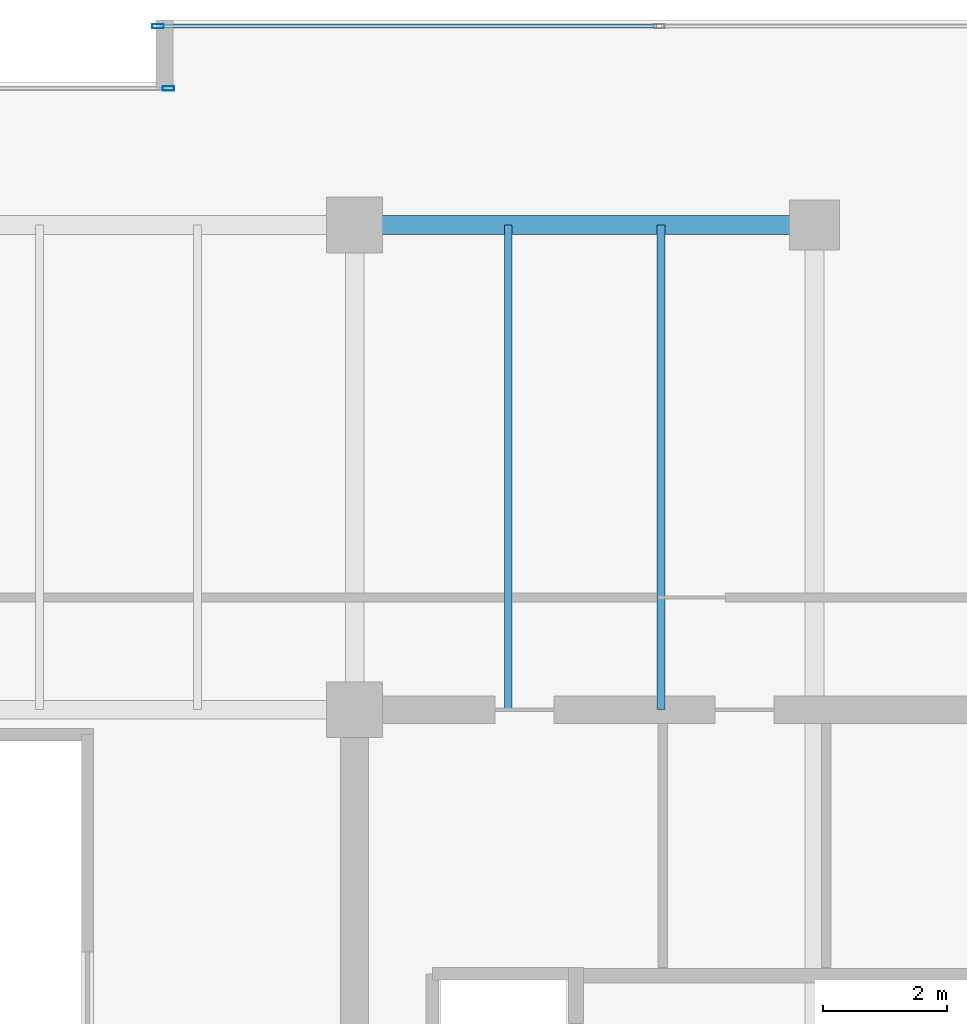
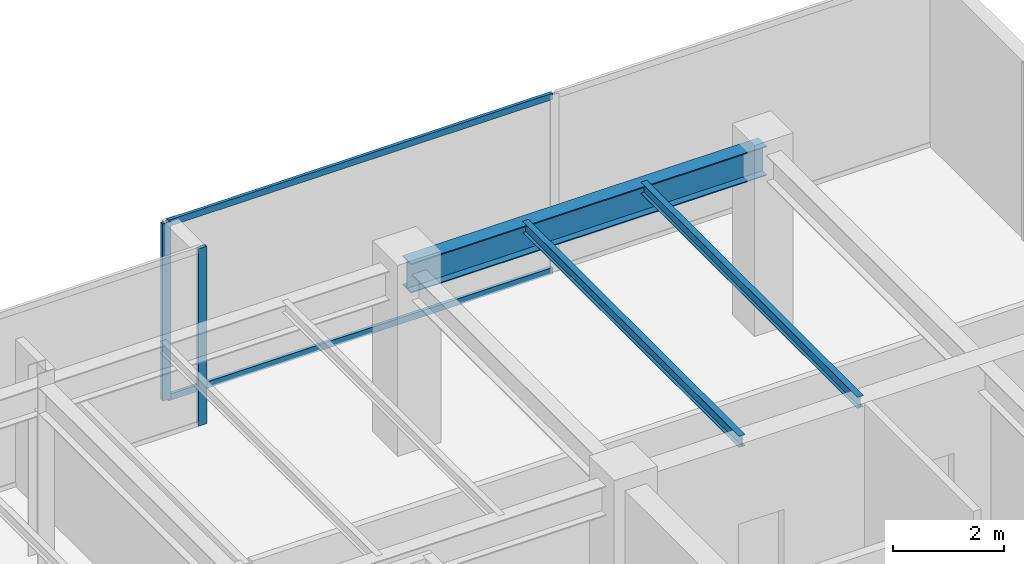
# One storey, part 24 of 31: 4 members, 3 beams, 2 elements without a shape of their own.
"""IFC4 building model written with IfcOpenShell, lengths in metres."""

from ifc_helpers import new_model, si_unit, direction, frame, origin, origin_2d, place, context, subcontext, project, spatial, hollow_rectangle, i_section, extrude, source, transform, mapped, material, layer, layer_set, material_profile, profile_set, type_object, type_shapes, element, aggregate, save


model = new_model("IFC4")

# Units and contexts
model_context = context("Model", 3, precision=1e-05, world=origin(), true_north=direction((0.0, 1.0)))
body_context = subcontext(model_context, "Body", "Model", "MODEL_VIEW")
ifc_project = project(units=[si_unit("LENGTHUNIT", "METRE"), si_unit("AREAUNIT", "SQUARE_METRE"), si_unit("VOLUMEUNIT", "CUBIC_METRE"), si_unit("PLANEANGLEUNIT", "RADIAN"), si_unit("MASSUNIT", "GRAM", prefix="KILO")], contexts=[model_context])

# Site, building, storey
site_placement = place(None, origin())
site = spatial("IfcSite", under=ifc_project, at=site_placement, CompositionType="ELEMENT")
building_placement = place(site_placement, origin())
building = spatial("IfcBuilding", under=site, at=building_placement, Name="Haelvirn Gate Laboratories", CompositionType="ELEMENT")
storey_placement = place(building_placement, frame((0.0, 0.0, 318.60009765625)))
storey = spatial("IfcBuildingStorey", under=building, at=storey_placement, Name="L76", CompositionType="ELEMENT", Elevation=318.60009765625)

# Beams
ifc_material_1 = material(Name="Steel SM355", Category="steel")
ifc_material_profile_1 = material_profile(ifc_material_1, i_section(OverallWidth=0.300048828125, OverallDepth=0.64990234375, WebThickness=0.012939453125, FlangeThickness=0.02197265625, at=origin_2d()), Name="H-650x300x13x22")
ifc_profile_set_1 = profile_set([ifc_material_profile_1], Name="Steel SM355")
beam_type_1 = type_object("IfcBeamType", Name="BM-G-650", PredefinedType="BEAM", material=ifc_profile_set_1)
shared_shape_1 = source(origin(), body_context, "Body", "SweptSolid", [
    extrude(i_section(OverallWidth=0.300048828125, OverallDepth=0.64990234375, WebThickness=0.012939453125, FlangeThickness=0.02197265625, at=origin_2d()), origin(), (0.0, 0.0, 1.0), 7.39990234375),
])
type_shapes(beam_type_1, [shared_shape_1])
beam_placement = place(storey_placement, frame((52.60009765625, 41.60009765625, 3.574951171875), z_axis=(1.0, 0.0, 0.0), x_axis=(0.0, 1.0, 0.0)))
element("IfcBeam", 1, at=beam_placement, inside=storey, type_object=beam_type_1, Name="L76 Primary Girder Y41.6 (52.6-60.0)", PredefinedType="BEAM", context=body_context, shape_type="MappedRepresentation", body=[
    mapped(shared_shape_1, transform((0.0, 0.0, 0.0), scale=1.0)),
])
ifc_material_profile_2 = material_profile(ifc_material_1, i_section(OverallWidth=0.125, OverallDepth=0.25, WebThickness=0.006103515625, FlangeThickness=0.009033203125, at=origin_2d()), Name="H-250x125x6x9")
ifc_profile_set_2 = profile_set([ifc_material_profile_2], Name="Steel SM355")
beam_type_2 = type_object("IfcBeamType", Name="BM-J-250", PredefinedType="JOIST", material=ifc_profile_set_2)
shared_shape_2 = source(origin(), body_context, "Body", "SweptSolid", [
    extrude(i_section(OverallWidth=0.125, OverallDepth=0.25, WebThickness=0.006103515625, FlangeThickness=0.009033203125, at=origin_2d()), origin(), (0.0, 0.0, 1.0), 7.800048828125),
])
type_shapes(beam_type_2, [shared_shape_2])
for number, where, z_axis, x_axis, name in (
    (2, (55.070068359375, 33.800048828125, 3.77490234375), (0.0, 1.0, 0.0), (-1.0, 0.0, 0.0), "L76 Composite Lab Joist North X55.07"),
    (3, (57.530029296875, 33.800048828125, 3.77490234375), (0.0, 1.0, 0.0), (-1.0, 0.0, 0.0), "L76 Composite Lab Joist North X57.53"),
):
    element("IfcBeam", number, at=place(storey_placement, frame(where, z_axis=z_axis, x_axis=x_axis)), inside=storey, type_object=beam_type_2, Name=name, PredefinedType="JOIST", context=body_context, shape_type="MappedRepresentation", body=[
        mapped(shared_shape_2, transform((0.0, 0.0, 0.0), scale=1.0)),
    ])

# Curtain wall, member
ifc_material_2 = material(Name="Anodised bronze unitised aluminium & triple low-E glass", Category="aluminium")
ifc_layer = layer(ifc_material_2, 0.176025390625, Name="CW-SYS-4")
ifc_layer_set = layer_set([ifc_layer], Name="Anodised bronze unitised aluminium & triple low-E glass")
curtain_wall_type = type_object("IfcCurtainWallType", Name="CW-SYS-4", PredefinedType="NOTDEFINED", material=ifc_layer_set)
curtain_wall_1_placement = place(storey_placement, origin())
curtain_wall_1 = element("IfcCurtainWall", 4, at=curtain_wall_1_placement, inside=storey, type_object=curtain_wall_type, Name="L76 Unitised Curtain Wall CW-L76-P0-E10-1", PredefinedType="NOTDEFINED")
ifc_material_3 = material(Name="Extruded aluminium 6063-T6 (anodised bronze)", Category="aluminium")
ifc_material_profile_3 = material_profile(ifc_material_3, hollow_rectangle(XDim=0.070068359375, YDim=0.179931640625, WallThickness=0.0048828125, at=origin_2d()), Name="CWM-180x70x5")
ifc_profile_set_3 = profile_set([ifc_material_profile_3], Name="Extruded aluminium 6063-T6 (anodised bronze)")
member_type_1 = type_object("IfcMemberType", Name="CWM-T180", PredefinedType="MULLION", material=ifc_profile_set_3)
shared_shape_3 = source(origin(), body_context, "Body", "SweptSolid", [
    extrude(hollow_rectangle(XDim=0.070068359375, YDim=0.179931640625, WallThickness=0.0048828125, at=origin_2d()), origin(), (0.0, 0.0, 1.0), 3.89990234375),
])
type_shapes(member_type_1, [shared_shape_3])
member_1_placement = place(storey_placement, frame((49.43505859375, 44.800048828125, 0.0), z_axis=(0.0, 0.0, 1.0), x_axis=(0.0, 1.0, 0.0)))
member_1 = element("IfcMember", 5, at=member_1_placement, type_object=member_type_1, Name="CW4 mullion 1", PredefinedType="MULLION", context=body_context, shape_type="MappedRepresentation", body=[
    mapped(shared_shape_3, transform((0.0, 0.0, 0.0), scale=1.0)),
])

curtain_wall_2_placement = place(storey_placement, origin())
curtain_wall_2 = element("IfcCurtainWall", 6, at=curtain_wall_2_placement, inside=storey, type_object=curtain_wall_type, Name="L76 Unitised Curtain Wall CW-L76-P0-E12-1", PredefinedType="NOTDEFINED")
member_2_placement = place(storey_placement, frame((49.60498046875, 43.800048828125, 0.0), z_axis=(0.0, 0.0, 1.0), x_axis=(0.0, 1.0, 0.0)))
member_2 = element("IfcMember", 7, at=member_2_placement, type_object=member_type_1, Name="CW4 mullion 3", PredefinedType="MULLION", context=body_context, shape_type="MappedRepresentation", body=[
    mapped(shared_shape_3, transform((0.0, 0.0, 0.0), scale=1.0)),
])
aggregate(curtain_wall_2, [member_2])

# Member
ifc_material_profile_4 = material_profile(ifc_material_3, hollow_rectangle(XDim=0.06494140625, YDim=0.139892578125, WallThickness=0.00390625, at=origin_2d()), Name="CWT-140x65x4")
ifc_profile_set_4 = profile_set([ifc_material_profile_4], Name="Extruded aluminium 6063-T6 (anodised bronze)")
member_type_2 = type_object("IfcMemberType", Name="CWT-T140", PredefinedType="USERDEFINED", material=ifc_profile_set_4)
shared_shape_4 = source(origin(), body_context, "Body", "SweptSolid", [
    extrude(hollow_rectangle(XDim=0.06494140625, YDim=0.139892578125, WallThickness=0.00390625, at=origin_2d()), origin(), (0.0, 0.0, 1.0), 7.9951171875),
])
type_shapes(member_type_2, [shared_shape_4])
member_3_placement = place(storey_placement, frame((49.469970703125, 44.800048828125, 0.032470703125), z_axis=(1.0, 0.0, 0.0), x_axis=(0.0, 1.0, 0.0)))
member_3 = element("IfcMember", 8, at=member_3_placement, type_object=member_type_2, Name="CW4 transom 1.1", ObjectType="TRANSOM", PredefinedType="USERDEFINED", context=body_context, shape_type="MappedRepresentation", body=[
    mapped(shared_shape_4, transform((0.0, 0.0, 0.0), scale=1.0)),
])

member_4_placement = place(storey_placement, frame((49.469970703125, 44.800048828125, 3.867431640625), z_axis=(1.0, 0.0, 0.0), x_axis=(0.0, 1.0, 0.0)))
member_4 = element("IfcMember", 9, at=member_4_placement, type_object=member_type_2, Name="CW4 transom 1.2", ObjectType="TRANSOM", PredefinedType="USERDEFINED", context=body_context, shape_type="MappedRepresentation", body=[
    mapped(shared_shape_4, transform((0.0, 0.0, 0.0), scale=1.0)),
])

aggregate(curtain_wall_1, [member_1, member_3, member_4])

save(model, "model.ifc")
